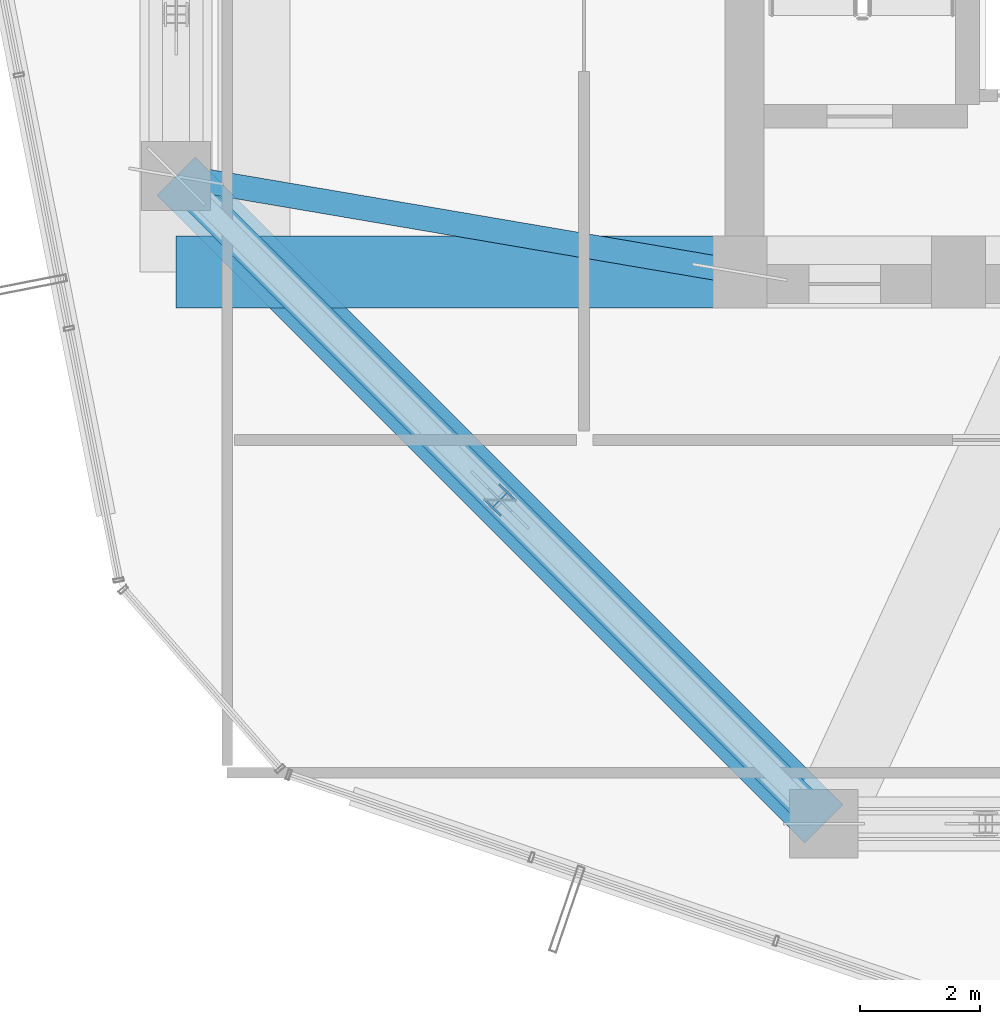
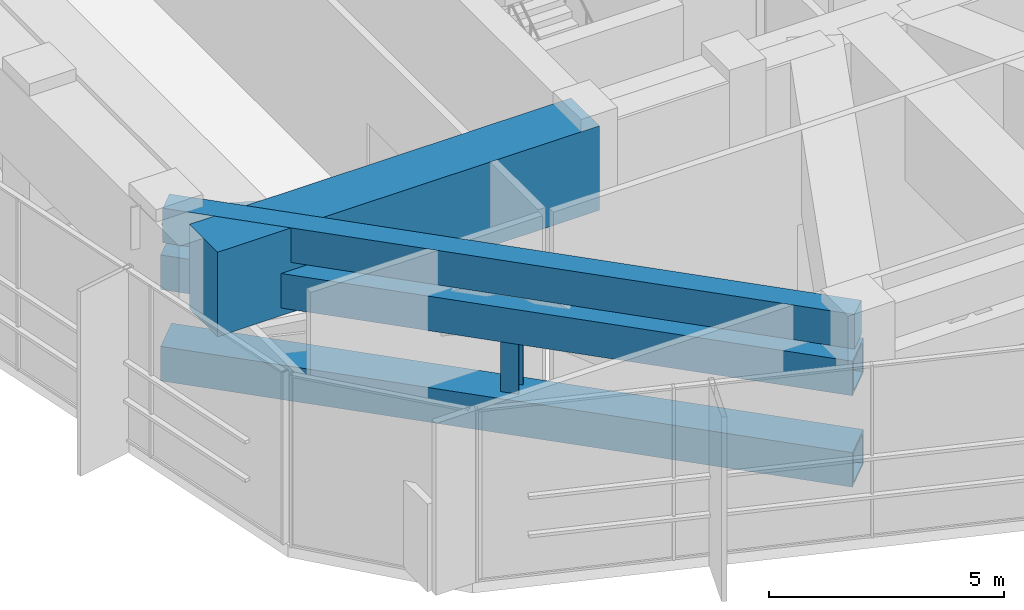
# One storey, part 6 of 36: 4 members, 2 beams.
"""IFC4 building model written with IfcOpenShell, lengths in metres."""

from ifc_helpers import new_model, si_unit, direction, frame, origin, origin_2d, place, context, subcontext, project, spatial, rectangle, hollow_rectangle, i_section, extrude, material, material_profile, profile_set, type_object, element, save


model = new_model("IFC4")

# Units and contexts
model_context = context("Model", 3, precision=1e-05, world=origin(), true_north=direction((0.0, 1.0)))
body_context = subcontext(model_context, "Body", "Model", "MODEL_VIEW")
ifc_project = project(units=[si_unit("LENGTHUNIT", "METRE"), si_unit("AREAUNIT", "SQUARE_METRE"), si_unit("VOLUMEUNIT", "CUBIC_METRE"), si_unit("PLANEANGLEUNIT", "RADIAN"), si_unit("MASSUNIT", "GRAM", prefix="KILO")], contexts=[model_context])

# Site, building, storey
site_placement = place(None, origin())
site = spatial("IfcSite", under=ifc_project, at=site_placement, CompositionType="ELEMENT")
building_placement = place(site_placement, origin())
building = spatial("IfcBuilding", under=site, at=building_placement, Name="Veraguas Prism Commons", CompositionType="ELEMENT")
storey_placement = place(building_placement, frame((0.0, 0.0, 169.550048828125)))
storey = spatial("IfcBuildingStorey", under=building, at=storey_placement, Name="L48", CompositionType="ELEMENT", Elevation=169.550048828125)

# Members
ifc_material_1 = material(Name="Steel ASTM A913 Grade 65", Category="steel")
ifc_material_profile_1 = material_profile(ifc_material_1, hollow_rectangle(XDim=0.89990234375, YDim=0.89990234375, WallThickness=0.06494140625, at=origin_2d()), Name="BOX900X900X65")
ifc_profile_set_1 = profile_set([ifc_material_profile_1], Name="Steel ASTM A913 Grade 65")
member_type_1 = type_object("IfcMemberType", Name="Belt Truss Chord L48 Box 900x900x65", PredefinedType="CHORD", material=ifc_profile_set_1)
for number, where, z_axis, x_axis, name in (
    (1, (7.800048828125, 18.60009765625, 0.550048828125), (0.707106781187, -0.707106781187, 0.0), (0.707106781187, 0.707106781187, 0.0), "Perimeter Belt Truss Chord Bottom L48-09"),
    (2, (7.800048828125, 18.60009765625, 2.929931640625), (0.707106781187, -0.707106781187, 0.0), (0.707106781187, 0.707106781187, 0.0), "Perimeter Belt Truss Chord Top L48-09"),
):
    element("IfcMember", number, at=place(storey_placement, frame(where, z_axis=z_axis, x_axis=x_axis)), inside=storey, type_object=member_type_1, Name=name, PredefinedType="CHORD", context=body_context, shape_type="SweptSolid", body=[
        extrude(hollow_rectangle(XDim=0.89990234375, YDim=0.89990234375, WallThickness=0.06494140625, at=origin_2d()), origin(), (0.0, 0.0, 1.0), 15.273681640625),
    ])
ifc_material_2 = material(Name="Steel ASTM A992 Grade 50", Category="steel")
ifc_material_profile_2 = material_profile(ifc_material_2, i_section(OverallWidth=0.39794921875, OverallDepth=0.386962890625, WebThickness=0.01904296875, FlangeThickness=0.0302734375, at=origin_2d()), Name="W360X262")
ifc_profile_set_2 = profile_set([ifc_material_profile_2], Name="Steel ASTM A992 Grade 50")
member_type_2 = type_object("IfcMemberType", Name="Belt Truss Vertical Strut W360x262", PredefinedType="STRUT", material=ifc_profile_set_2)
member_1_placement = place(storey_placement, frame((13.199951171875, 13.199951171875, 0.550048828125), z_axis=(0.0, 0.0, 1.0), x_axis=(0.707106781187, -0.707106781187, 0.0)))
element("IfcMember", 3, at=member_1_placement, inside=storey, type_object=member_type_2, Name="Perimeter Belt Truss Strut L48-09", PredefinedType="STRUT", context=body_context, shape_type="SweptSolid", body=[
    extrude(i_section(OverallWidth=0.39794921875, OverallDepth=0.386962890625, WebThickness=0.01904296875, FlangeThickness=0.0302734375, at=origin_2d()), origin(), (0.0, 0.0, 1.0), 2.3798828125),
])
ifc_material_profile_3 = material_profile(ifc_material_2, i_section(OverallWidth=0.408935546875, OverallDepth=0.425048828125, WebThickness=0.030517578125, FlangeThickness=0.049072265625, at=origin_2d()), Name="W360X421")
ifc_profile_set_3 = profile_set([ifc_material_profile_3], Name="Steel ASTM A992 Grade 50")
member_type_3 = type_object("IfcMemberType", Name="Outrigger Truss Diagonal W360x421", PredefinedType="BRACE", material=ifc_profile_set_3)
member_2_placement = place(storey_placement, frame((17.199951171875, 17.0, 2.419921875), z_axis=(-0.973207252857, 0.165664130051, 0.159446037895), x_axis=(-0.1678109956, -0.985819187151, 0.0)))
element("IfcMember", 4, at=member_2_placement, inside=storey, type_object=member_type_3, Name="Outrigger Truss Diagonal L48-04", PredefinedType="BRACE", context=body_context, shape_type="SweptSolid", body=[
    extrude(i_section(OverallWidth=0.408935546875, OverallDepth=0.425048828125, WebThickness=0.030517578125, FlangeThickness=0.049072265625, at=origin_2d()), origin(), (0.0, 0.0, 1.0), 9.65869140625),
])

# Beams
ifc_material_3 = material(Name="Concrete C50/60", Category="concrete")
ifc_material_profile_4 = material_profile(ifc_material_3, rectangle(XDim=0.550048828125, YDim=0.89990234375, at=origin_2d()), Name="RC550X900")
ifc_profile_set_4 = profile_set([ifc_material_profile_4], Name="Concrete C50/60")
beam_type_1 = type_object("IfcBeamType", Name="Perimeter Spandrel Lower RC 550x900", PredefinedType="SPANDREL", material=ifc_profile_set_4)
beam_1_placement = place(storey_placement, frame((7.800048828125, 18.60009765625, 4.030029296875), z_axis=(0.707106781187, -0.707106781187, 0.0), x_axis=(0.707106781187, 0.707106781187, 0.0)))
element("IfcBeam", 5, at=beam_1_placement, inside=storey, type_object=beam_type_1, Name="Perimeter Spandrel Beam L48-SP09", PredefinedType="SPANDREL", context=body_context, shape_type="SweptSolid", body=[
    extrude(rectangle(XDim=0.550048828125, YDim=0.89990234375, at=origin_2d()), origin(), (0.0, 0.0, 1.0), 15.273681640625),
])
ifc_material_profile_5 = material_profile(ifc_material_3, rectangle(XDim=1.199951171875, YDim=2.199951171875, at=origin_2d()), Name="RC1200X2200")
ifc_profile_set_5 = profile_set([ifc_material_profile_5], Name="Concrete C50/60")
beam_type_2 = type_object("IfcBeamType", Name="Podium Transfer Girder RC 1200x2200", PredefinedType="BEAM", material=ifc_profile_set_5)
beam_2_placement = place(storey_placement, frame((7.800048828125, 17.0, 3.3798828125), z_axis=(1.0, 0.0, 0.0), x_axis=(0.0, 1.0, 0.0)))
element("IfcBeam", 6, at=beam_2_placement, inside=storey, type_object=beam_type_2, Name="Outrigger Transfer Girder L48-XSW", PredefinedType="BEAM", context=body_context, shape_type="SweptSolid", body=[
    extrude(rectangle(XDim=1.199951171875, YDim=2.199951171875, at=origin_2d()), origin(), (0.0, 0.0, 1.0), 9.39990234375),
])

save(model, "model.ifc")
